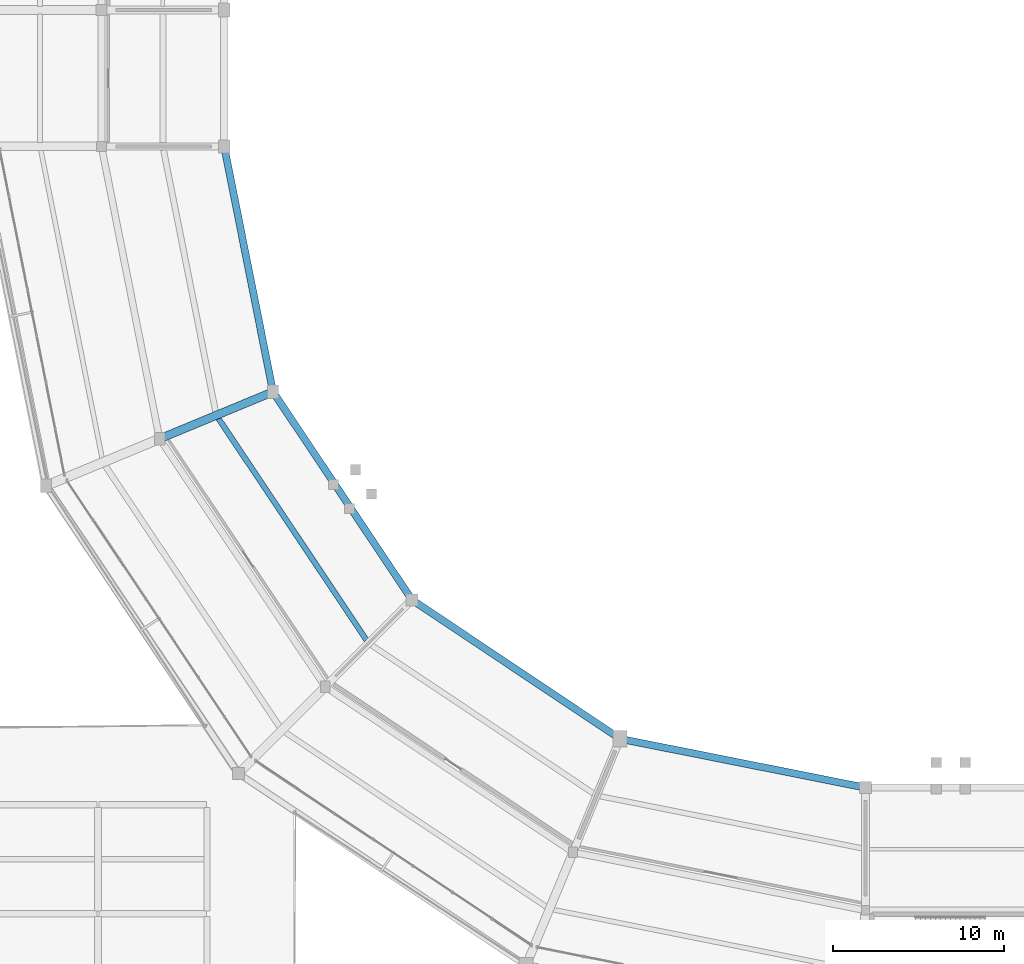
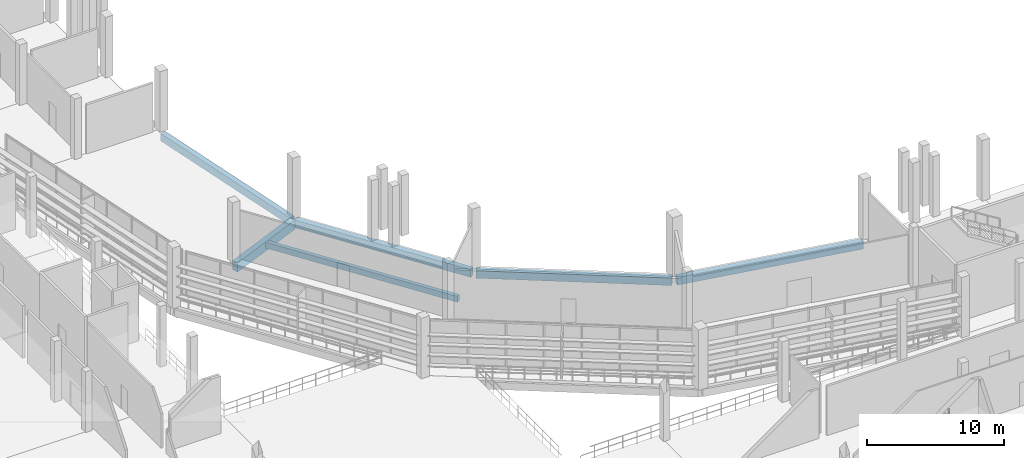
# One storey, part 17 of 111: 6 beams.
"""IFC4 building model written with IfcOpenShell, lengths in metres."""

from ifc_helpers import new_model, si_unit, direction, frame, origin, origin_2d, place, context, subcontext, project, spatial, rectangle, extrude, material, material_profile, profile_set, type_object, element, save


model = new_model("IFC4")

# Units and contexts
model_context = context("Model", 3, precision=1e-05, world=origin(), true_north=direction((0.0, 1.0)))
body_context = subcontext(model_context, "Body", "Model", "MODEL_VIEW")
ifc_project = project(units=[si_unit("LENGTHUNIT", "METRE"), si_unit("AREAUNIT", "SQUARE_METRE"), si_unit("VOLUMEUNIT", "CUBIC_METRE"), si_unit("PLANEANGLEUNIT", "RADIAN"), si_unit("MASSUNIT", "GRAM", prefix="KILO")], contexts=[model_context])

# Site, building, storey
site_placement = place(None, origin())
site = spatial("IfcSite", under=ifc_project, at=site_placement, CompositionType="ELEMENT")
building_placement = place(site_placement, origin())
building = spatial("IfcBuilding", under=site, at=building_placement, Name="Candeia Ridge Stadium", CompositionType="ELEMENT")
storey_placement = place(building_placement, frame((0.0, 0.0, 16.199951171875)))
storey = spatial("IfcBuildingStorey", under=building, at=storey_placement, Name="L03", CompositionType="ELEMENT", Elevation=16.199951171875)

# Beams
ifc_material_1 = material(Name="Concrete C40/50", Category="concrete")
ifc_material_profile_1 = material_profile(ifc_material_1, rectangle(XDim=0.320068359375, YDim=0.52001953125, at=origin_2d()), Name="RC320x520", Category="concrete")
ifc_profile_set_1 = profile_set([ifc_material_profile_1], Name="Concrete C40/50")
beam_type_1 = type_object("IfcBeamType", Name="Floor Joist RC320x520", PredefinedType="JOIST", material=ifc_profile_set_1)
beam_1_placement = place(storey_placement, frame((33.0595703125, 55.048828125, -0.510009765625), z_axis=(0.555568527312, -0.831470752017, 0.0), x_axis=(0.831470752017, 0.555568527312, 0.0)))
element("IfcBeam", 1, at=beam_1_placement, inside=storey, type_object=beam_type_1, Name="Concourse secondary joist BM-L03-0626", PredefinedType="JOIST", context=body_context, shape_type="SweptSolid", body=[
    extrude(rectangle(XDim=0.320068359375, YDim=0.52001953125, at=origin_2d()), origin(), (0.0, 0.0, 1.0), 15.63134765625),
])
ifc_material_profile_2 = material_profile(ifc_material_1, rectangle(XDim=0.419921875, YDim=0.679931640625, at=origin_2d()), Name="RC420x680", Category="concrete")
ifc_profile_set_2 = profile_set([ifc_material_profile_2], Name="Concrete C40/50")
beam_type_2 = type_object("IfcBeamType", Name="Frame Girder RC420x680", PredefinedType="BEAM", material=ifc_profile_set_2)
for number, where, z_axis, x_axis, name in (
    (2, (33.43115234375, 70.843017578125, -0.58984375), (0.195098555341, -0.980783642657, 0.0), (0.980783642657, 0.195098555341, 0.0), "Bowl inner ring girder BM-L03-0618"),
    (3, (36.35107421875, 56.47802734375, -0.58984375), (0.55557537569, -0.831466176057, 0.0), (0.831466176057, 0.55557537569, 0.0), "Bowl inner ring girder BM-L03-0623"),
    (4, (44.5458984375, 44.323974609375, -0.58984375), (0.831466176057, -0.55557537569, 0.0), (0.55557537569, 0.831466176057, 0.0), "Bowl inner ring girder BM-L03-0628"),
    (5, (56.76806640625, 36.23095703125, -0.58984375), (0.980783642657, -0.195098555341, 0.0), (0.195098555341, 0.980783642657, 0.0), "Bowl inner ring girder BM-L03-0633"),
):
    element("IfcBeam", number, at=place(storey_placement, frame(where, z_axis=z_axis, x_axis=x_axis)), inside=storey, type_object=beam_type_2, Name=name, PredefinedType="BEAM", context=body_context, shape_type="SweptSolid", body=[
        extrude(rectangle(XDim=0.419921875, YDim=0.679931640625, at=origin_2d()), origin(), (0.0, 0.0, 1.0), 14.350830078125),
    ])
ifc_material_2 = material(Name="Concrete C45/55", Category="concrete")
ifc_material_profile_3 = material_profile(ifc_material_2, rectangle(XDim=0.47998046875, YDim=0.820068359375, at=origin_2d()), Name="RC480x820", Category="concrete")
ifc_profile_set_3 = profile_set([ifc_material_profile_3], Name="Concrete C45/55")
beam_type_3 = type_object("IfcBeamType", Name="Frame Girder RC480x820", PredefinedType="BEAM", material=ifc_profile_set_3)
beam_2_placement = place(storey_placement, frame((36.1142578125, 56.5498046875, -0.659912109375), z_axis=(-0.923880161031, -0.382681914982, 0.0), x_axis=(0.382681914982, -0.923880161031, 0.0)))
element("IfcBeam", 6, at=beam_2_placement, inside=storey, type_object=beam_type_3, Name="Bowl radial girder BM-L03-0511", PredefinedType="BEAM", context=body_context, shape_type="SweptSolid", body=[
    extrude(rectangle(XDim=0.47998046875, YDim=0.820068359375, at=origin_2d()), origin(), (0.0, 0.0, 1.0), 6.8798828125),
])

save(model, "model.ifc")
